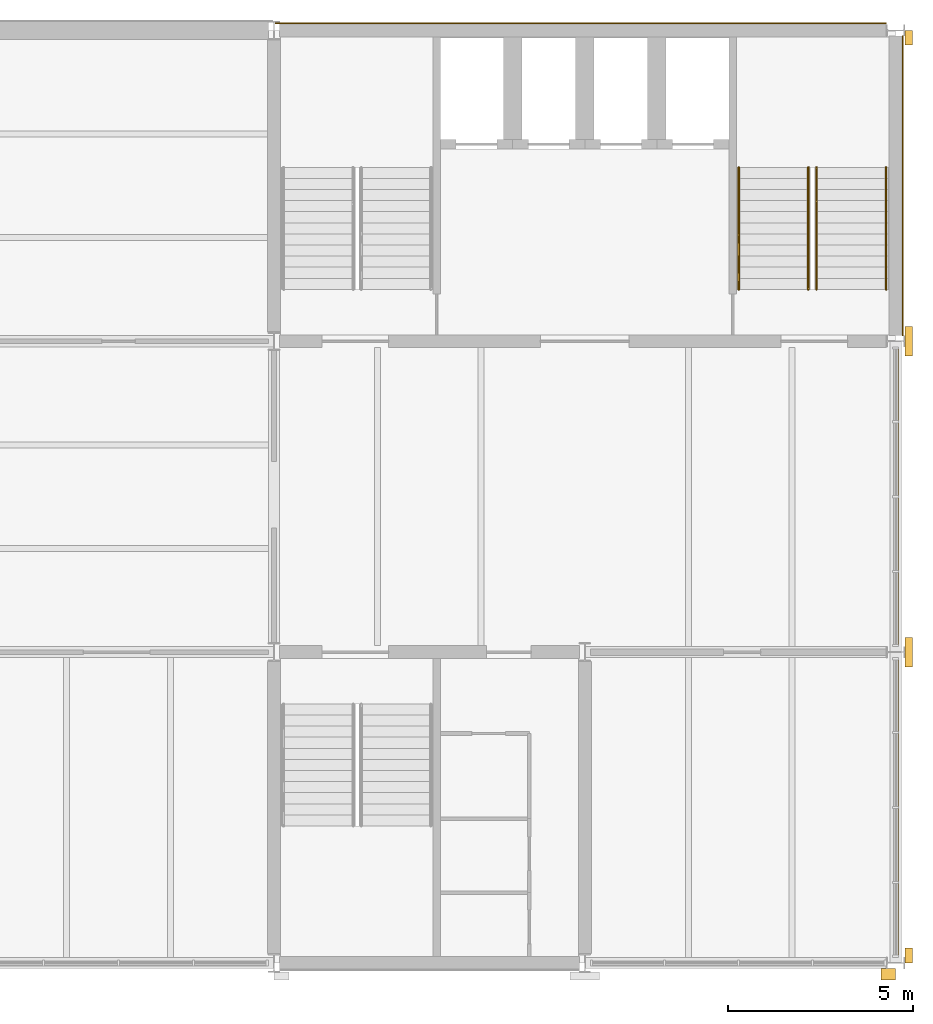
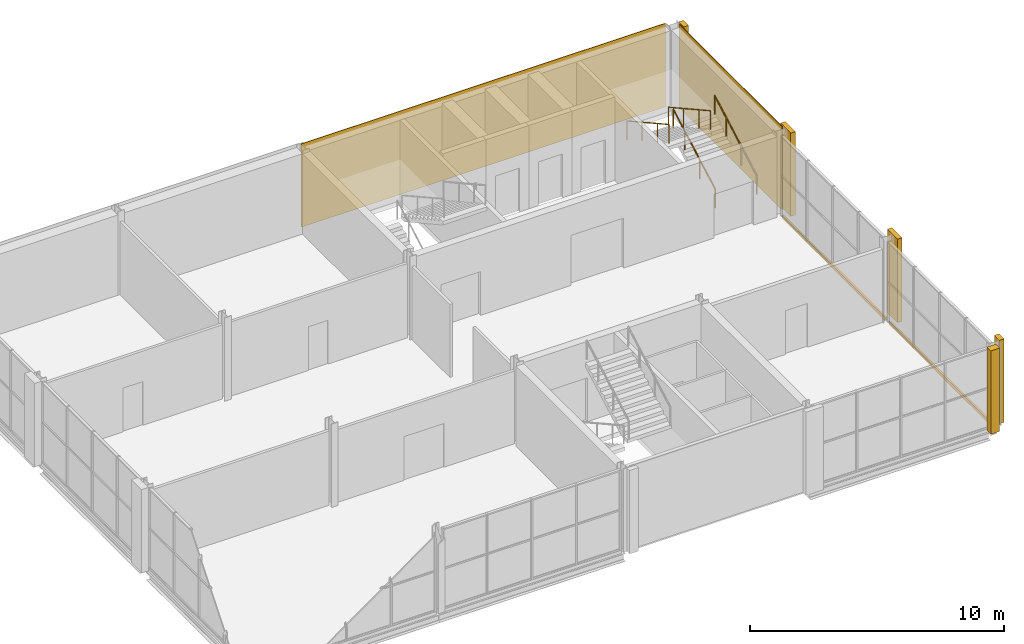
# One storey, part 12 of 12: 9 coverings, 4 railings.
"""IFC4 building model written with IfcOpenShell, lengths in metres."""

from ifc_helpers import new_model, si_unit, direction, frame, origin, origin_2d, place, context, subcontext, project, spatial, rectangle, circle, extrude, material, layer, layer_set, type_object, element, save


model = new_model("IFC4")

# Units and contexts
model_context = context("Model", 3, precision=1e-05, world=origin(), true_north=direction((0.0, 1.0)))
body_context = subcontext(model_context, "Body", "Model", "MODEL_VIEW")
ifc_project = project(units=[si_unit("LENGTHUNIT", "METRE"), si_unit("AREAUNIT", "SQUARE_METRE"), si_unit("VOLUMEUNIT", "CUBIC_METRE"), si_unit("PLANEANGLEUNIT", "RADIAN"), si_unit("MASSUNIT", "GRAM", prefix="KILO")], contexts=[model_context])

# Site, building, storey
site_placement = place(None, origin())
site = spatial("IfcSite", under=ifc_project, at=site_placement, CompositionType="ELEMENT")
building_placement = place(site_placement, origin())
building = spatial("IfcBuilding", under=site, at=building_placement, Name="Galleria Vessillo Department Store", CompositionType="ELEMENT")
storey_placement = place(building_placement, frame((0.0, 0.0, 39.60009765625)))
storey = spatial("IfcBuildingStorey", under=building, at=storey_placement, Name="L08", CompositionType="ELEMENT", Elevation=39.60009765625)

# Coverings
ifc_material_1 = material(Name="Lime plaster (intonaco) ochre")
ifc_layer_1 = layer(ifc_material_1, 0.030029296875)
ifc_layer_set_1 = layer_set([ifc_layer_1], Name="Lime plaster (intonaco) ochre")
covering_type_1 = type_object("IfcCoveringType", Name="Lime plaster render 30 mm", PredefinedType="CLADDING", material=ifc_layer_set_1)
covering_1_placement = place(storey_placement, frame((109.090087890625, 63.18994140625, 0.0), z_axis=(0.0, 0.0, 1.0), x_axis=(1.0, 0.0, 0.0)))
element("IfcCovering", 1, at=covering_1_placement, inside=storey, type_object=covering_type_1, Name="Wall cladding S-CW-TC-PARTY-L08", PredefinedType="CLADDING", context=body_context, shape_type="SweptSolid", body=[
    extrude(rectangle(XDim=16.52001953125, YDim=0.030029296875, at=origin_2d()), origin(), (0.0, 0.0, 1.0), 4.0),
])
ifc_material_2 = material(Name="Botticino limestone ashlar", Category="masonry")
ifc_layer_2 = layer(ifc_material_2, 0.14990234375)
ifc_layer_set_2 = layer_set([ifc_layer_2], Name="Botticino limestone ashlar")
covering_type_2 = type_object("IfcCoveringType", Name="Limestone slab-edge fascia 150 mm", PredefinedType="CLADDING", material=ifc_layer_set_2)
covering_2_placement = place(storey_placement, frame((117.64013671875, 42.0, -0.14990234375), z_axis=(0.0, 0.0, 1.0), x_axis=(1.0, 0.0, 0.0)))
element("IfcCovering", 2, at=covering_2_placement, inside=storey, type_object=covering_type_2, Name="Slab-edge fascia TE-L07-01", PredefinedType="CLADDING", context=body_context, shape_type="SweptSolid", body=[
    extrude(rectangle(XDim=0.080078125, YDim=8.099853515625, at=origin_2d()), origin(), (0.0, 0.0, 1.0), 0.14990234375),
])
covering_3_placement = place(storey_placement, frame((117.64013671875, 50.39990234375, -0.14990234375), z_axis=(0.0, 0.0, 1.0), x_axis=(1.0, 0.0, 0.0)))
element("IfcCovering", 3, at=covering_3_placement, inside=storey, type_object=covering_type_2, Name="Slab-edge fascia TE-L07-02", PredefinedType="CLADDING", context=body_context, shape_type="SweptSolid", body=[
    extrude(rectangle(XDim=0.080078125, YDim=8.10009765625, at=origin_2d()), origin(), (0.0, 0.0, 1.0), 0.14990234375),
])
ifc_material_3 = material(Name="Botticino limestone ashlar", Category="masonry")
ifc_layer_3 = layer(ifc_material_3, 0.31005859375)
ifc_layer_set_3 = layer_set([ifc_layer_3], Name="Botticino limestone ashlar")
covering_type_3 = type_object("IfcCoveringType", Name="Limestone tower pilaster strip", PredefinedType="CLADDING", material=ifc_layer_set_3)
covering_4_placement = place(storey_placement, frame((117.955078125, 38.0, 0.0), z_axis=(0.0, 0.0, 1.0), x_axis=(1.0, 0.0, 0.0)))
element("IfcCovering", 4, at=covering_4_placement, inside=storey, type_object=covering_type_3, Name="Tower pilaster strip E L08 37.8", PredefinedType="CLADDING", context=body_context, shape_type="SweptSolid", body=[
    extrude(rectangle(XDim=0.2099609375, YDim=0.39990234375, at=origin_2d()), origin(), (0.0, 0.0, 1.0), 4.0),
])
for number, where, z_axis, x_axis, name in (
    (5, (117.955078125, 46.199951171875, 0.0), (0.0, 0.0, 1.0), (1.0, 0.0, 0.0), "Tower pilaster strip E L08 46.2"),
    (6, (117.955078125, 54.60009765625, 0.0), (0.0, 0.0, 1.0), (1.0, 0.0, 0.0), "Tower pilaster strip E L08 54.6"),
):
    element("IfcCovering", number, at=place(storey_placement, frame(where, z_axis=z_axis, x_axis=x_axis)), inside=storey, type_object=covering_type_3, Name=name, PredefinedType="CLADDING", context=body_context, shape_type="SweptSolid", body=[
        extrude(rectangle(XDim=0.2099609375, YDim=0.800048828125, at=origin_2d()), origin(), (0.0, 0.0, 1.0), 4.0),
    ])
covering_5_placement = place(storey_placement, frame((117.955078125, 62.800048828125, 0.0), z_axis=(0.0, 0.0, 1.0), x_axis=(1.0, 0.0, 0.0)))
element("IfcCovering", 7, at=covering_5_placement, inside=storey, type_object=covering_type_3, Name="Tower pilaster strip E L08 63.0", PredefinedType="CLADDING", context=body_context, shape_type="SweptSolid", body=[
    extrude(rectangle(XDim=0.2099609375, YDim=0.39990234375, at=origin_2d()), origin(), (0.0, 0.0, 1.0), 4.0),
])
covering_6_placement = place(storey_placement, frame((117.400146484375, 37.4951171875, 0.0), z_axis=(0.0, 0.0, 1.0), x_axis=(1.0, 0.0, 0.0)))
element("IfcCovering", 8, at=covering_6_placement, inside=storey, type_object=covering_type_3, Name="Tower pilaster strip S L08 117.6", PredefinedType="CLADDING", context=body_context, shape_type="SweptSolid", body=[
    extrude(rectangle(XDim=0.39990234375, YDim=0.31005859375, at=origin_2d()), origin(), (0.0, 0.0, 1.0), 4.0),
])
ifc_material_4 = material(Name="Botticino limestone ashlar", Category="masonry")
ifc_layer_4 = layer(ifc_material_4, 0.030029296875)
ifc_layer_set_4 = layer_set([ifc_layer_4], Name="Botticino limestone ashlar")
covering_type_4 = type_object("IfcCoveringType", Name="Limestone wall cladding 30 mm", PredefinedType="CLADDING", material=ifc_layer_set_4)
covering_7_placement = place(storey_placement, frame((117.7900390625, 58.800048828125, 0.0), z_axis=(0.0, 0.0, 1.0), x_axis=(1.0, 0.0, 0.0)))
element("IfcCovering", 9, at=covering_7_placement, inside=storey, type_object=covering_type_4, Name="Wall cladding S-CW-TC-EAST-L08", PredefinedType="CLADDING", context=body_context, shape_type="SweptSolid", body=[
    extrude(rectangle(XDim=0.030029296875, YDim=8.099853515625, at=origin_2d()), origin(), (0.0, 0.0, 1.0), 4.0),
])

# Railings
ifc_material_5 = material(Name="Stainless steel tube", Category="steel")
railing_type = type_object("IfcRailingType", Name="Stair handrail steel tube 48 mm", PredefinedType="HANDRAIL", material=ifc_material_5)
for number, where, name in (
    (10, (115.4599609375, 56.0, 0.166748046875), "Handrail ST9 L08 flight 1A"),
    (11, (117.33984375, 56.0, 0.166748046875), "Handrail ST9 L08 flight 1B"),
):
    element("IfcRailing", number, at=place(storey_placement, frame(where)), inside=storey, type_object=railing_type, Name=name, PredefinedType="HANDRAIL", context=body_context, shape_type="SweptSolid", body=[
        extrude(circle(Radius=0.02392578125, at=origin_2d()), frame((0.0, 0.0, 0.89599609375), z_axis=(0.0, 0.874199221805, 0.485567421267), x_axis=(-1.0, 0.0, 0.0)), (0.0, 0.0, 1.0), 1.37255859375),
        extrude(circle(Radius=0.02392578125, at=origin_2d()), frame((0.0, 1.199951171875, 1.5625), z_axis=(0.0, 0.874123717778, 0.485703331282), x_axis=(-1.0, 0.0, 0.0)), (0.0, 0.0, 1.0), 1.372802734375),
        extrude(circle(Radius=0.02392578125, at=origin_2d()), frame((0.0, 2.39990234375, 2.22900390625), z_axis=(0.0, 0.874190826042, 0.485582536407), x_axis=(-1.0, 0.0, 0.0)), (0.0, 0.0, 1.0), 1.02978515625),
        extrude(circle(Radius=0.02099609375, at=origin_2d()), origin(), (0.0, 0.0, 1.0), 0.871826171875),
        extrude(circle(Radius=0.02099609375, at=origin_2d()), frame((0.0, 1.199951171875, 0.66650390625)), (0.0, 0.0, 1.0), 0.871826171875),
        extrude(circle(Radius=0.02099609375, at=origin_2d()), frame((0.0, 2.39990234375, 1.333251953125)), (0.0, 0.0, 1.0), 0.871826171875),
        extrude(circle(Radius=0.02099609375, at=origin_2d()), frame((0.0, 3.300048828125, 1.833251953125)), (0.0, 0.0, 1.0), 0.871826171875),
    ])
for number, where, name in (
    (12, (115.239990234375, 59.300048828125, 2.166748046875), "Handrail ST9 L08 flight 2A"),
    (13, (113.360107421875, 59.300048828125, 2.166748046875), "Handrail ST9 L08 flight 2B"),
):
    element("IfcRailing", number, at=place(storey_placement, frame(where)), inside=storey, type_object=railing_type, Name=name, PredefinedType="HANDRAIL", context=body_context, shape_type="SweptSolid", body=[
        extrude(circle(Radius=0.02392578125, at=origin_2d()), frame((0.0, 0.0, 0.89599609375), z_axis=(0.0, -0.874199221805, 0.485567421267), x_axis=(1.0, 0.0, 0.0)), (0.0, 0.0, 1.0), 1.37255859375),
        extrude(circle(Radius=0.02392578125, at=origin_2d()), frame((0.0, -1.199951171875, 1.5625), z_axis=(0.0, -0.874123717778, 0.485703331282), x_axis=(1.0, 0.0, 0.0)), (0.0, 0.0, 1.0), 1.372802734375),
        extrude(circle(Radius=0.02392578125, at=origin_2d()), frame((0.0, -2.39990234375, 2.22900390625), z_axis=(0.0, -0.874190826042, 0.485582536407), x_axis=(1.0, 0.0, 0.0)), (0.0, 0.0, 1.0), 1.02978515625),
        extrude(circle(Radius=0.02099609375, at=origin_2d()), origin(), (0.0, 0.0, 1.0), 0.871826171875),
        extrude(circle(Radius=0.02099609375, at=origin_2d()), frame((0.0, -1.199951171875, 0.66650390625)), (0.0, 0.0, 1.0), 0.871826171875),
        extrude(circle(Radius=0.02099609375, at=origin_2d()), frame((0.0, -2.39990234375, 1.333251953125)), (0.0, 0.0, 1.0), 0.871826171875),
        extrude(circle(Radius=0.02099609375, at=origin_2d()), frame((0.0, -3.300048828125, 1.833251953125)), (0.0, 0.0, 1.0), 0.871826171875),
    ])

save(model, "model.ifc")
